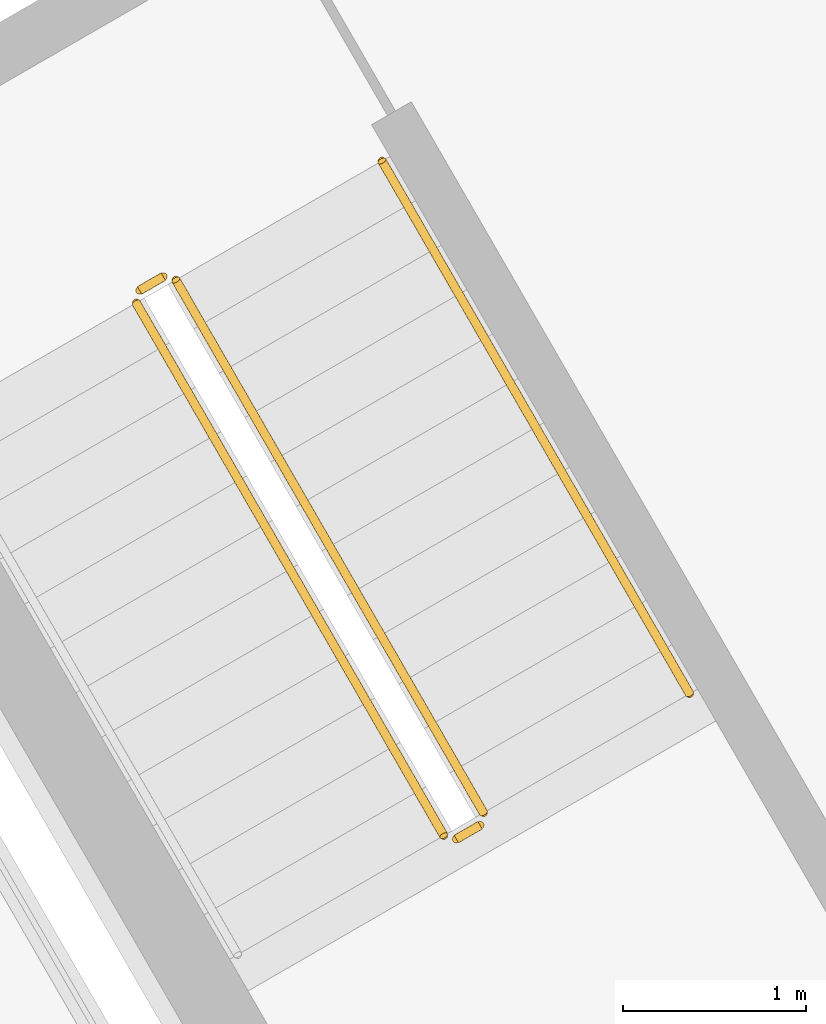
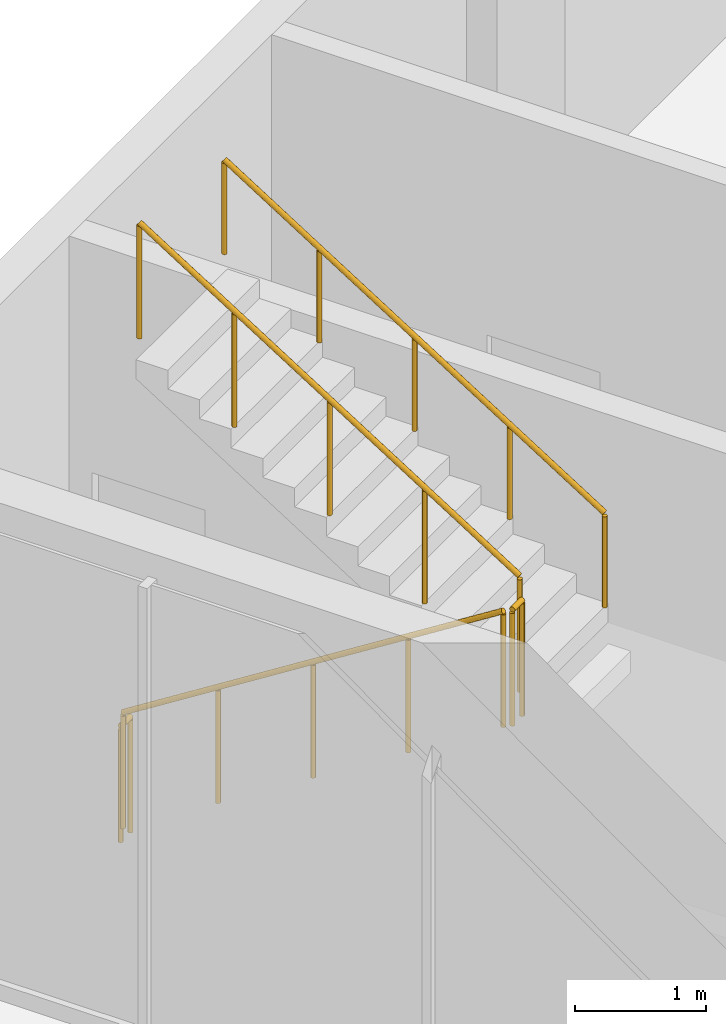
# One storey, part 26 of 29: 5 railings.
"""IFC4 building model written with IfcOpenShell, lengths in metres."""

from ifc_helpers import new_model, si_unit, direction, frame, origin, origin_2d, place, context, subcontext, project, spatial, circle, extrude, material, type_object, element, save


model = new_model("IFC4")

# Units and contexts
model_context = context("Model", 3, precision=1e-05, world=origin(), true_north=direction((0.0, 1.0)))
body_context = subcontext(model_context, "Body", "Model", "MODEL_VIEW")
ifc_project = project(units=[si_unit("LENGTHUNIT", "METRE"), si_unit("AREAUNIT", "SQUARE_METRE"), si_unit("VOLUMEUNIT", "CUBIC_METRE"), si_unit("PLANEANGLEUNIT", "RADIAN"), si_unit("MASSUNIT", "GRAM", prefix="KILO")], contexts=[model_context])

# Site, building, storey
site_placement = place(None, origin())
site = spatial("IfcSite", under=ifc_project, at=site_placement, CompositionType="ELEMENT")
building_placement = place(site_placement, origin())
building = spatial("IfcBuilding", under=site, at=building_placement, Name="Firuza Gate Tower and Library", CompositionType="ELEMENT")
storey_placement = place(building_placement, frame((0.0, 0.0, 8.0)))
storey = spatial("IfcBuildingStorey", under=building, at=storey_placement, Name="L01", CompositionType="ELEMENT", Elevation=8.0)

# Railings
ifc_material_1 = material(Name="Steel S355", Category="steel")
railing_type_1 = type_object("IfcRailingType", Name="LIB GUARD", PredefinedType="GUARDRAIL", material=ifc_material_1)
railing_1_placement = place(storey_placement, frame((82.298583984375, 108.427734375, 0.177001953125)))
element("IfcRailing", 1, at=railing_1_placement, inside=storey, type_object=railing_type_1, Name="L01 LIB-ST-A stair guard 1", PredefinedType="GUARDRAIL", context=body_context, shape_type="SweptSolid", body=[
    extrude(circle(Radius=0.02392578125, at=origin_2d()), frame((0.0, 0.0, 1.076171875), z_axis=(0.422671638265, -0.732135337376, 0.534159652137), x_axis=(0.866039179741, 0.499976138585, 0.0)), (0.0, 0.0, 1.0), 3.974609375),
    extrude(circle(Radius=0.02099609375, at=origin_2d()), origin(), (0.0, 0.0, 1.0), 1.052001953125),
    extrude(circle(Radius=0.02099609375, at=origin_2d()), frame((0.419921875, -0.7275390625, 0.53076171875)), (0.0, 0.0, 1.0), 1.052001953125),
    extrude(circle(Radius=0.02099609375, at=origin_2d()), frame((0.83984375, -1.455078125, 1.0615234375)), (0.0, 0.0, 1.0), 1.052001953125),
    extrude(circle(Radius=0.02099609375, at=origin_2d()), frame((1.260009765625, -2.182373046875, 1.59228515625)), (0.0, 0.0, 1.0), 1.052001953125),
    extrude(circle(Radius=0.02099609375, at=origin_2d()), frame((1.679931640625, -2.909912109375, 2.123046875)), (0.0, 0.0, 1.0), 1.052001953125),
])
railing_2_placement = place(storey_placement, frame((84.046875, 105.49951171875, 2.300048828125)))
element("IfcRailing", 2, at=railing_2_placement, inside=storey, type_object=railing_type_1, Name="L01 LIB-ST-A stair guard 2", PredefinedType="GUARDRAIL", context=body_context, shape_type="SweptSolid", body=[
    extrude(circle(Radius=0.02392578125, at=origin_2d()), frame((0.0, 0.0, 1.076171875), z_axis=(0.865426285481, 0.501036270542, 0.0), x_axis=(-0.501036270542, 0.865426285481, 0.0)), (0.0, 0.0, 1.0), 0.150146484375),
    extrude(circle(Radius=0.02099609375, at=origin_2d()), origin(), (0.0, 0.0, 1.0), 1.052001953125),
    extrude(circle(Radius=0.02099609375, at=origin_2d()), frame((0.1298828125, 0.0751953125, 0.0)), (0.0, 0.0, 1.0), 1.052001953125),
])
railing_3_placement = place(storey_placement, frame((84.195068359375, 105.642822265625, 2.476806640625)))
element("IfcRailing", 3, at=railing_3_placement, inside=storey, type_object=railing_type_1, Name="L01 LIB-ST-A stair guard 3", PredefinedType="GUARDRAIL", context=body_context, shape_type="SweptSolid", body=[
    extrude(circle(Radius=0.02392578125, at=origin_2d()), frame((0.0, 0.0, 1.076171875), z_axis=(-0.42265776977, 0.73211131491, 0.53420354944), x_axis=(-0.866039179741, -0.499976138585, 0.0)), (0.0, 0.0, 1.0), 3.974609375),
    extrude(circle(Radius=0.02099609375, at=origin_2d()), origin(), (0.0, 0.0, 1.0), 1.052001953125),
    extrude(circle(Radius=0.02099609375, at=origin_2d()), frame((-0.419921875, 0.7275390625, 0.53076171875)), (0.0, 0.0, 1.0), 1.052001953125),
    extrude(circle(Radius=0.02099609375, at=origin_2d()), frame((-0.83984375, 1.455078125, 1.0615234375)), (0.0, 0.0, 1.0), 1.052001953125),
    extrude(circle(Radius=0.02099609375, at=origin_2d()), frame((-1.260009765625, 2.182373046875, 1.592529296875)), (0.0, 0.0, 1.0), 1.052001953125),
    extrude(circle(Radius=0.02099609375, at=origin_2d()), frame((-1.679931640625, 2.909912109375, 2.123291015625)), (0.0, 0.0, 1.0), 1.052001953125),
])
railing_4_placement = place(storey_placement, frame((82.31689453125, 108.49609375, 0.0)))
element("IfcRailing", 4, at=railing_4_placement, inside=storey, type_object=railing_type_1, Name="L01 LIB-ST-A stair guard 4", PredefinedType="GUARDRAIL", context=body_context, shape_type="SweptSolid", body=[
    extrude(circle(Radius=0.02392578125, at=origin_2d()), frame((0.0, 0.0, 1.076171875), z_axis=(0.866131372301, 0.499816412211, 0.0), x_axis=(-0.499816412211, 0.866131372301, 0.0)), (0.0, 0.0, 1.0), 0.14990234375),
    extrude(circle(Radius=0.02099609375, at=origin_2d()), origin(), (0.0, 0.0, 1.0), 1.052001953125),
    extrude(circle(Radius=0.02099609375, at=origin_2d()), frame((0.1298828125, 0.074951171875, 0.0)), (0.0, 0.0, 1.0), 1.052001953125),
])
ifc_material_2 = material(Name="Steel S355", Category="steel")
railing_type_2 = type_object("IfcRailingType", Name="LIB HANDRAIL", PredefinedType="HANDRAIL", material=ifc_material_2)
railing_5_placement = place(storey_placement, frame((85.32080078125, 106.29296875, 2.476806640625)))
element("IfcRailing", 5, at=railing_5_placement, inside=storey, type_object=railing_type_2, Name="L01 LIB-ST-A stair handrail 2", PredefinedType="HANDRAIL", context=body_context, shape_type="SweptSolid", body=[
    extrude(circle(Radius=0.02392578125, at=origin_2d()), frame((0.0, 0.0, 0.8759765625), z_axis=(-0.42265776977, 0.73211131491, 0.53420354944), x_axis=(-0.866039179741, -0.499976138585, 0.0)), (0.0, 0.0, 1.0), 3.974609375),
    extrude(circle(Radius=0.02099609375, at=origin_2d()), origin(), (0.0, 0.0, 1.0), 0.851806640625),
    extrude(circle(Radius=0.02099609375, at=origin_2d()), frame((-0.419921875, 0.7275390625, 0.53076171875)), (0.0, 0.0, 1.0), 0.851806640625),
    extrude(circle(Radius=0.02099609375, at=origin_2d()), frame((-0.83984375, 1.455078125, 1.0615234375)), (0.0, 0.0, 1.0), 0.851806640625),
    extrude(circle(Radius=0.02099609375, at=origin_2d()), frame((-1.260009765625, 2.182373046875, 1.592529296875)), (0.0, 0.0, 1.0), 0.851806640625),
    extrude(circle(Radius=0.02099609375, at=origin_2d()), frame((-1.679931640625, 2.909912109375, 2.123291015625)), (0.0, 0.0, 1.0), 0.851806640625),
])

save(model, "model.ifc")
